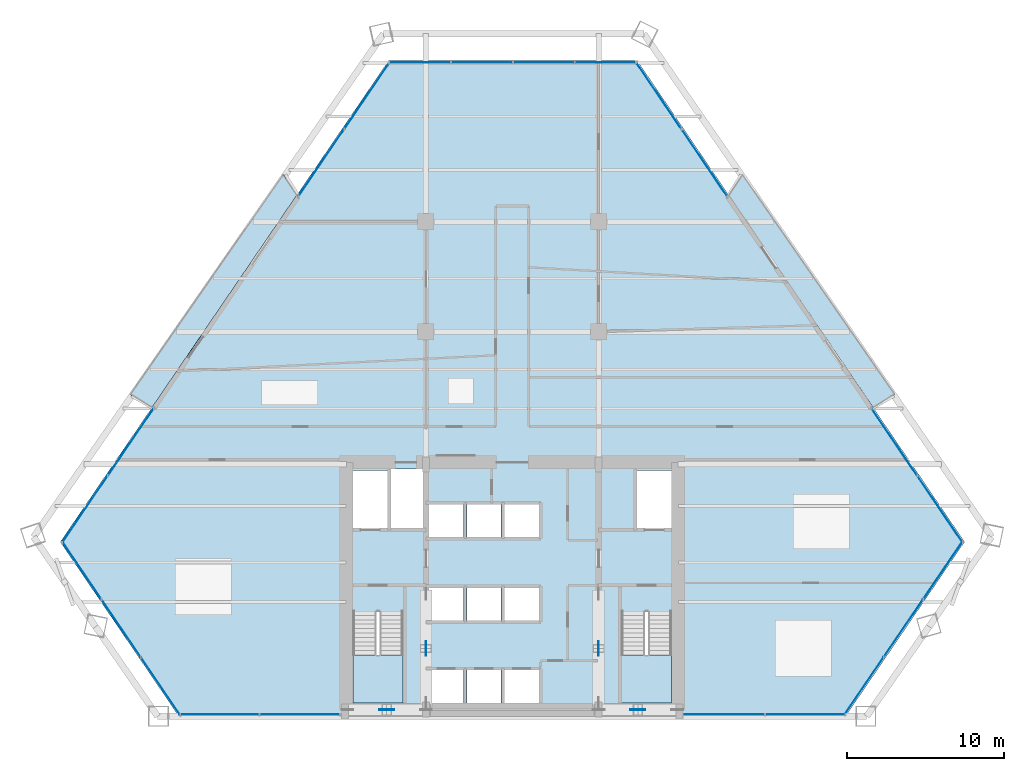
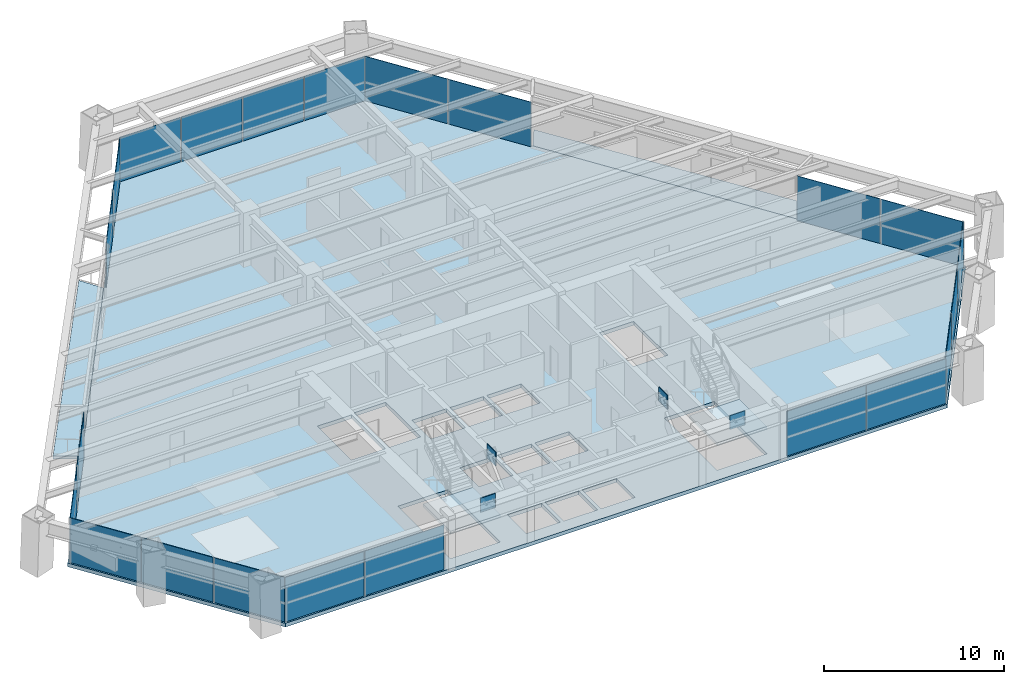
# One storey, part 9 of 14: 26 plates, 5 slabs, 11 elements without a shape of their own.
"""IFC4 building model written with IfcOpenShell, lengths in metres."""

from ifc_helpers import new_model, si_unit, direction, frame, origin, origin_2d, place, context, subcontext, project, spatial, polyline, rectangle, outline, extrude, source, transform, mapped, material, layer, layer_set, type_object, element, aggregate, save


model = new_model("IFC4")

# Units and contexts
model_context = context("Model", 3, precision=1e-05, world=origin(), true_north=direction((0.0, 1.0)))
body_context = subcontext(model_context, "Body", "Model", "MODEL_VIEW")
ifc_project = project(units=[si_unit("LENGTHUNIT", "METRE"), si_unit("AREAUNIT", "SQUARE_METRE"), si_unit("VOLUMEUNIT", "CUBIC_METRE"), si_unit("PLANEANGLEUNIT", "RADIAN"), si_unit("MASSUNIT", "GRAM", prefix="KILO")], contexts=[model_context])

# Site, building, storey
site_placement = place(None, origin())
site = spatial("IfcSite", under=ifc_project, at=site_placement, CompositionType="ELEMENT")
building_placement = place(site_placement, origin())
building = spatial("IfcBuilding", under=site, at=building_placement, Name="Varnakhor Terracotta Tower", CompositionType="ELEMENT")
storey_placement = place(building_placement, frame((0.0, 0.0, 31.199951171875)))
storey = spatial("IfcBuildingStorey", under=building, at=storey_placement, Name="L06", CompositionType="ELEMENT", Elevation=31.199951171875)

# Stair, slab
ifc_material_1 = material(Name="Concrete C40/50", Category="concrete")
stair_type = type_object("IfcStairType", Name="STR-CORE-OFFICE-1500", PredefinedType="HALF_TURN_STAIR", material=ifc_material_1)
stair_1_placement = place(storey_placement, origin())
stair_1 = element("IfcStair", 1, at=stair_1_placement, inside=storey, type_object=stair_type, Name="L06 Core Exit Stair ST-1", PredefinedType="HALF_TURN_STAIR")
ifc_layer_1 = layer(ifc_material_1, 0.179931640625, Name="Concrete C40/50")
ifc_layer_set_1 = layer_set([ifc_layer_1], Name="Concrete C40/50")
slab_type_1 = type_object("IfcSlabType", Name="SLB-LANDING-180", PredefinedType="LANDING", material=ifc_layer_set_1)
slab_1_placement = place(storey_placement, frame((0.0, 0.0, 1.650146484375)))
slab_1 = element("IfcSlab", 2, at=slab_1_placement, type_object=slab_type_1, Name="ST-1 landing 1", PredefinedType="LANDING", context=body_context, shape_type="SweptSolid", body=[
    extrude(outline(polyline([(-10.14990234375, 3.909912109375), (-10.14990234375, 0.85009765625), (-6.949951171875, 0.85009765625), (-6.949951171875, 3.909912109375), (-10.14990234375, 3.909912109375)])), origin(), (0.0, 0.0, 1.0), 0.199951171875),
])
aggregate(stair_1, [slab_1])

stair_2_placement = place(storey_placement, origin())
stair_2 = element("IfcStair", 3, at=stair_2_placement, inside=storey, type_object=stair_type, Name="L06 Core Exit Stair ST-2", PredefinedType="HALF_TURN_STAIR")
slab_2_placement = place(storey_placement, frame((0.0, 0.0, 1.650146484375)))
slab_2 = element("IfcSlab", 4, at=slab_2_placement, type_object=slab_type_1, Name="ST-2 landing 1", PredefinedType="LANDING", context=body_context, shape_type="SweptSolid", body=[
    extrude(outline(polyline([(6.949951171875, 3.909912109375), (6.949951171875, 0.85009765625), (10.14990234375, 0.85009765625), (10.14990234375, 3.909912109375), (6.949951171875, 3.909912109375)])), origin(), (0.0, 0.0, 1.0), 0.199951171875),
])
aggregate(stair_2, [slab_2])

# Slabs
ifc_layer_2 = layer(ifc_material_1, 0.195068359375, Name="Concrete C40/50")
ifc_layer_set_2 = layer_set([ifc_layer_2], Name="Concrete C40/50")
slab_type_2 = type_object("IfcSlabType", Name="SLB-LOGGIA-EXT-195", PredefinedType="FLOOR", material=ifc_layer_set_2)
slab_3_placement = place(storey_placement, frame((0.0, 0.0, -0.195068359375)))
element("IfcSlab", 5, at=slab_3_placement, inside=storey, type_object=slab_type_2, Name="L06 E Recessed Outdoor Loggia Slab", PredefinedType="FLOOR", context=body_context, shape_type="SweptSolid", body=[
    extrude(outline(polyline([(14.6328125, 34.51611328125), (24.3583984375, 20.488037109375), (22.969970703125, 19.695068359375), (19.08447265625, 25.40869140625), (13.800048828125, 33.179931640625), (14.6328125, 34.51611328125)])), origin(), (0.0, 0.0, 1.0), 0.195068359375),
])
slab_4_placement = place(storey_placement, frame((0.0, 0.0, -0.195068359375)))
element("IfcSlab", 6, at=slab_4_placement, inside=storey, type_object=slab_type_2, Name="L06 W Recessed Outdoor Loggia Slab", PredefinedType="FLOOR", context=body_context, shape_type="SweptSolid", body=[
    extrude(outline(polyline([(-24.3212890625, 20.48291015625), (-14.5654296875, 34.513916015625), (-13.732666015625, 33.177978515625), (-22.9326171875, 19.690185546875), (-24.3212890625, 20.48291015625)])), origin(), (0.0, 0.0, 1.0), 0.195068359375),
])
ifc_layer_3 = layer(ifc_material_1, 0.25, Name="Concrete C40/50")
ifc_layer_set_3 = layer_set([ifc_layer_3], Name="Concrete C40/50")
slab_type_3 = type_object("IfcSlabType", Name="SLB-OFF-250", PredefinedType="FLOOR", material=ifc_layer_set_3)
slab_5_placement = place(storey_placement, frame((0.0, 0.0, -0.25)))
element("IfcSlab", 7, at=slab_5_placement, inside=storey, type_object=slab_type_3, Name="L06 Structural Floor Slab", PredefinedType="FLOOR", context=body_context, shape_type="SweptSolid", body=[
    extrude(outline(polyline([(-28.787109375, 11.10693359375), (-7.8779296875, 41.760986328125), (7.964599609375, 41.760986328125), (28.805419921875, 11.11376953125), (21.224853515625, 0.0), (-21.234130859375, 0.0), (-28.787109375, 11.10693359375)]), holes=[polyline([(-3.10009765625, 0.85009765625), (-3.10009765625, 2.949951171875), (-5.300048828125, 2.949951171875), (-5.300048828125, 0.85009765625), (-3.10009765625, 0.85009765625)]), polyline([(-2.8798828125, 0.85009765625), (-0.719970703125, 0.85009765625), (-0.719970703125, 2.949951171875), (-2.8798828125, 2.949951171875), (-2.8798828125, 0.85009765625)]), polyline([(-10.14990234375, 0.85009765625), (-6.949951171875, 0.85009765625), (-6.949951171875, 6.695068359375), (-10.14990234375, 6.695068359375), (-10.14990234375, 0.85009765625)]), polyline([(-5.300048828125, 6.10009765625), (-3.10009765625, 6.10009765625), (-3.10009765625, 8.199951171875), (-5.300048828125, 8.199951171875), (-5.300048828125, 6.10009765625)]), polyline([(-5.300048828125, 11.419921875), (-3.10009765625, 11.419921875), (-3.10009765625, 13.52001953125), (-5.300048828125, 13.52001953125), (-5.300048828125, 11.419921875)]), polyline([(-10.14990234375, 11.8798828125), (-7.949951171875, 11.8798828125), (-7.949951171875, 15.64990234375), (-10.14990234375, 15.64990234375), (-10.14990234375, 11.8798828125)]), polyline([(-7.72998046875, 11.8798828125), (-5.699951171875, 11.8798828125), (-5.699951171875, 15.75), (-7.72998046875, 15.75), (-7.72998046875, 11.8798828125)]), polyline([(1.699951171875, 0.85009765625), (1.699951171875, 2.949951171875), (-0.5, 2.949951171875), (-0.5, 0.85009765625), (1.699951171875, 0.85009765625)]), polyline([(6.949951171875, 0.85009765625), (10.14990234375, 0.85009765625), (10.14990234375, 6.695068359375), (6.949951171875, 6.695068359375), (6.949951171875, 0.85009765625)]), polyline([(-2.8798828125, 6.10009765625), (-0.719970703125, 6.10009765625), (-0.719970703125, 8.199951171875), (-2.8798828125, 8.199951171875), (-2.8798828125, 6.10009765625)]), polyline([(-0.5, 6.10009765625), (1.699951171875, 6.10009765625), (1.699951171875, 8.199951171875), (-0.5, 8.199951171875), (-0.5, 6.10009765625)]), polyline([(-2.8798828125, 11.419921875), (-0.719970703125, 11.419921875), (-0.719970703125, 13.52001953125), (-2.8798828125, 13.52001953125), (-2.8798828125, 11.419921875)]), polyline([(-0.5, 11.419921875), (1.699951171875, 11.419921875), (1.699951171875, 13.52001953125), (-0.5, 13.52001953125), (-0.5, 11.419921875)]), polyline([(7.949951171875, 11.8798828125), (10.14990234375, 11.8798828125), (10.14990234375, 15.64990234375), (7.949951171875, 15.64990234375), (7.949951171875, 11.8798828125)])]), origin(), (0.0, 0.0, 1.0), 0.25),
])

# Plates
ifc_material_2 = material(Name="Steel S460", Category="steel")
ifc_layer_4 = layer(ifc_material_2, 0.050048828125, Name="Steel S460")
ifc_layer_set_4 = layer_set([ifc_layer_4], Name="Steel S460")
plate_type_1 = type_object("IfcPlateType", Name="PLT-GUSSET-50", PredefinedType="USERDEFINED", material=ifc_layer_set_4)
shared_shape_1 = source(origin(), body_context, "Body", "SweptSolid", [
    extrude(rectangle(XDim=0.949951171875, YDim=0.044921875, at=origin_2d()), origin(), (0.0, 0.0, 1.0), 0.949951171875),
])
for number, where, z_axis, x_axis, name in (
    (8, (-8.0, 0.419921875, 2.8251953125), (0.0, 0.0, 1.0), (1.0, 0.0, 0.0), "L06 Core Brace Apex Gusset CSW"),
    (9, (8.0, 0.419921875, 2.8251953125), (0.0, 0.0, 1.0), (1.0, 0.0, 0.0), "L06 Core Brace Apex Gusset CSE"),
    (10, (-5.5, 4.324951171875, 2.8251953125), (0.0, 0.0, 1.0), (0.0, 1.0, 0.0), "L06 Core Brace Apex Gusset CWW"),
    (11, (5.5, 4.324951171875, 2.8251953125), (0.0, 0.0, 1.0), (0.0, 1.0, 0.0), "L06 Core Brace Apex Gusset CWE"),
):
    element("IfcPlate", number, at=place(storey_placement, frame(where, z_axis=z_axis, x_axis=x_axis)), inside=storey, type_object=plate_type_1, Name=name, ObjectType="GUSSET PLATE", PredefinedType="USERDEFINED", context=body_context, shape_type="MappedRepresentation", body=[
        mapped(shared_shape_1, transform((0.0, 0.0, 0.0), scale=1.0)),
    ])

# Curtain wall, plate
ifc_material_3 = material(Name="Anodised Aluminium Curtain Wall System", Category="aluminium")
curtain_wall_type = type_object("IfcCurtainWallType", Name="CW-SYS-LOW-OFFICE", PredefinedType="NOTDEFINED", material=ifc_material_3)
curtain_wall_1_placement = place(storey_placement, origin())
curtain_wall_1 = element("IfcCurtainWall", 12, at=curtain_wall_1_placement, inside=storey, type_object=curtain_wall_type, Name="L06 W Facet Curtain Wall 1", PredefinedType="NOTDEFINED")
ifc_material_4 = material(Name="Solar-Control Low-E Insulated Glass Panel", Category="glass")
ifc_layer_5 = layer(ifc_material_4, 0.0380859375, Name="Solar-Control Low-E Insulated Glass Panel")
ifc_layer_set_5 = layer_set([ifc_layer_5], Name="Solar-Control Low-E Insulated Glass Panel")
plate_type_2 = type_object("IfcPlateType", Name="CWP-02", PredefinedType="CURTAIN_PANEL", material=ifc_layer_set_5)
shared_shape_2 = source(origin(), body_context, "Body", "SweptSolid", [
    extrude(rectangle(XDim=5.125, YDim=0.035888671875, at=origin_2d()), origin(), (0.0, 0.0, 1.0), 3.030029296875),
])
plate_1_placement = place(storey_placement, frame((-27.216064453125, 13.197509765625, 0.0), z_axis=(0.0, 0.0, 1.0), x_axis=(0.563497212324, 0.826117964762, 0.0)))
plate_1 = element("IfcPlate", 13, at=plate_1_placement, type_object=plate_type_2, Name="L06 W Facet Curtain Wall 1 Glazed Panel 1", PredefinedType="CURTAIN_PANEL", context=body_context, shape_type="MappedRepresentation", body=[
    mapped(shared_shape_2, transform((0.0, 0.0, 0.0), scale=1.0)),
])

curtain_wall_2_placement = place(storey_placement, origin())
curtain_wall_2 = element("IfcCurtainWall", 14, at=curtain_wall_2_placement, inside=storey, type_object=curtain_wall_type, Name="L06 W Facet Curtain Wall 2", PredefinedType="NOTDEFINED")
plate_2_placement = place(storey_placement, frame((-9.2509765625, 39.535400390625, 0.0), z_axis=(0.0, 0.0, 1.0), x_axis=(0.563497212324, 0.826117964762, 0.0)))
plate_2 = element("IfcPlate", 15, at=plate_2_placement, type_object=plate_type_2, Name="L06 W Facet Curtain Wall 2 Glazed Panel 2", PredefinedType="CURTAIN_PANEL", context=body_context, shape_type="MappedRepresentation", body=[
    mapped(shared_shape_2, transform((0.0, 0.0, 0.0), scale=1.0)),
])

# Plate
shared_shape_3 = source(origin(), body_context, "Body", "SweptSolid", [
    extrude(rectangle(XDim=5.124755859375, YDim=0.035888671875, at=origin_2d()), origin(), (0.0, 0.0, 1.0), 3.030029296875),
])
plate_3_placement = place(storey_placement, frame((-24.3056640625, 17.46435546875, 0.0), z_axis=(0.0, 0.0, 1.0), x_axis=(0.563497212324, 0.826117964762, 0.0)))
plate_3 = element("IfcPlate", 16, at=plate_3_placement, type_object=plate_type_2, Name="L06 W Facet Curtain Wall 1 Glazed Panel 2", PredefinedType="CURTAIN_PANEL", context=body_context, shape_type="MappedRepresentation", body=[
    mapped(shared_shape_3, transform((0.0, 0.0, 0.0), scale=1.0)),
])

aggregate(curtain_wall_1, [plate_1, plate_3])

plate_4_placement = place(storey_placement, frame((-12.161376953125, 35.2685546875, 0.0), z_axis=(0.0, 0.0, 1.0), x_axis=(0.563497212324, 0.826117964762, 0.0)))
plate_4 = element("IfcPlate", 17, at=plate_4_placement, type_object=plate_type_2, Name="L06 W Facet Curtain Wall 2 Glazed Panel 1", PredefinedType="CURTAIN_PANEL", context=body_context, shape_type="MappedRepresentation", body=[
    mapped(shared_shape_3, transform((0.0, 0.0, 0.0), scale=1.0)),
])

aggregate(curtain_wall_2, [plate_4, plate_2])

# Curtain wall, plates
curtain_wall_3_placement = place(storey_placement, origin())
curtain_wall_3 = element("IfcCurtainWall", 18, at=curtain_wall_3_placement, inside=storey, type_object=curtain_wall_type, Name="L06 Facet Curtain Wall 2", PredefinedType="NOTDEFINED")
shared_shape_4 = source(origin(), body_context, "Body", "SweptSolid", [
    extrude(rectangle(XDim=3.905517578125, YDim=0.035888671875, at=origin_2d()), origin(), (0.0, 0.0, 1.0), 3.030029296875),
])
plate_5_placement = place(storey_placement, frame((-5.875244140625, 41.64111328125, 0.0), z_axis=(0.0, 0.0, 1.0), x_axis=(1.0, 0.0, 0.0)))
plate_5 = element("IfcPlate", 19, at=plate_5_placement, type_object=plate_type_2, Name="L06 Facet Curtain Wall 2 Glazed Panel 1", PredefinedType="CURTAIN_PANEL", context=body_context, shape_type="MappedRepresentation", body=[
    mapped(shared_shape_4, transform((0.0, 0.0, 0.0), scale=1.0)),
])
plate_6_placement = place(storey_placement, frame((-1.9296875, 41.64111328125, 0.0), z_axis=(0.0, 0.0, 1.0), x_axis=(1.0, 0.0, 0.0)))
plate_6 = element("IfcPlate", 20, at=plate_6_placement, type_object=plate_type_2, Name="L06 Facet Curtain Wall 2 Glazed Panel 2", PredefinedType="CURTAIN_PANEL", context=body_context, shape_type="MappedRepresentation", body=[
    mapped(shared_shape_4, transform((0.0, 0.0, 0.0), scale=1.0)),
])
plate_7_placement = place(storey_placement, frame((5.961669921875, 41.64111328125, 0.0), z_axis=(0.0, 0.0, 1.0), x_axis=(1.0, 0.0, 0.0)))
plate_7 = element("IfcPlate", 21, at=plate_7_placement, type_object=plate_type_2, Name="L06 Facet Curtain Wall 2 Glazed Panel 4", PredefinedType="CURTAIN_PANEL", context=body_context, shape_type="MappedRepresentation", body=[
    mapped(shared_shape_4, transform((0.0, 0.0, 0.0), scale=1.0)),
])
shared_shape_5 = source(origin(), body_context, "Body", "SweptSolid", [
    extrude(rectangle(XDim=3.90576171875, YDim=0.035888671875, at=origin_2d()), origin(), (0.0, 0.0, 1.0), 3.030029296875),
])
plate_8_placement = place(storey_placement, frame((2.01611328125, 41.64111328125, 0.0), z_axis=(0.0, 0.0, 1.0), x_axis=(1.0, 0.0, 0.0)))
plate_8 = element("IfcPlate", 22, at=plate_8_placement, type_object=plate_type_2, Name="L06 Facet Curtain Wall 2 Glazed Panel 3", PredefinedType="CURTAIN_PANEL", context=body_context, shape_type="MappedRepresentation", body=[
    mapped(shared_shape_5, transform((0.0, 0.0, 0.0), scale=1.0)),
])
aggregate(curtain_wall_3, [plate_5, plate_6, plate_8, plate_7])

curtain_wall_4_placement = place(storey_placement, origin())
curtain_wall_4 = element("IfcCurtainWall", 23, at=curtain_wall_4_placement, inside=storey, type_object=curtain_wall_type, Name="L06 E Facet Curtain Wall 1", PredefinedType="NOTDEFINED")
shared_shape_6 = source(origin(), body_context, "Body", "SweptSolid", [
    extrude(rectangle(XDim=5.11865234375, YDim=0.035888671875, at=origin_2d()), origin(), (0.0, 0.0, 1.0), 3.030029296875),
])
plate_9_placement = place(storey_placement, frame((9.33251953125, 39.535888671875, 0.0), z_axis=(0.0, 0.0, 1.0), x_axis=(0.562328752854, -0.826913764376, 0.0)))
plate_9 = element("IfcPlate", 24, at=plate_9_placement, type_object=plate_type_2, Name="L06 E Facet Curtain Wall 1 Glazed Panel 1", PredefinedType="CURTAIN_PANEL", context=body_context, shape_type="MappedRepresentation", body=[
    mapped(shared_shape_6, transform((0.0, 0.0, 0.0), scale=1.0)),
])
plate_10_placement = place(storey_placement, frame((12.2333984375, 35.27001953125, 0.0), z_axis=(0.0, 0.0, 1.0), x_axis=(0.562328752854, -0.826913764376, 0.0)))
plate_10 = element("IfcPlate", 25, at=plate_10_placement, type_object=plate_type_2, Name="L06 E Facet Curtain Wall 1 Glazed Panel 2", PredefinedType="CURTAIN_PANEL", context=body_context, shape_type="MappedRepresentation", body=[
    mapped(shared_shape_6, transform((0.0, 0.0, 0.0), scale=1.0)),
])
aggregate(curtain_wall_4, [plate_9, plate_10])

curtain_wall_5_placement = place(storey_placement, origin())
curtain_wall_5 = element("IfcCurtainWall", 26, at=curtain_wall_5_placement, inside=storey, type_object=curtain_wall_type, Name="L06 E Facet Curtain Wall 2", PredefinedType="NOTDEFINED")
plate_11_placement = place(storey_placement, frame((24.338134765625, 17.469970703125, 0.0), z_axis=(0.0, 0.0, 1.0), x_axis=(0.562328752854, -0.826913764376, 0.0)))
plate_11 = element("IfcPlate", 27, at=plate_11_placement, type_object=plate_type_2, Name="L06 E Facet Curtain Wall 2 Glazed Panel 1", PredefinedType="CURTAIN_PANEL", context=body_context, shape_type="MappedRepresentation", body=[
    mapped(shared_shape_6, transform((0.0, 0.0, 0.0), scale=1.0)),
])
plate_12_placement = place(storey_placement, frame((27.239013671875, 13.2041015625, 0.0), z_axis=(0.0, 0.0, 1.0), x_axis=(0.562328752854, -0.826913764376, 0.0)))
plate_12 = element("IfcPlate", 28, at=plate_12_placement, type_object=plate_type_2, Name="L06 E Facet Curtain Wall 2 Glazed Panel 2", PredefinedType="CURTAIN_PANEL", context=body_context, shape_type="MappedRepresentation", body=[
    mapped(shared_shape_6, transform((0.0, 0.0, 0.0), scale=1.0)),
])
aggregate(curtain_wall_5, [plate_11, plate_12])

curtain_wall_6_placement = place(storey_placement, origin())
curtain_wall_6 = element("IfcCurtainWall", 29, at=curtain_wall_6_placement, inside=storey, type_object=curtain_wall_type, Name="L06 Facet Curtain Wall 4", PredefinedType="NOTDEFINED")
shared_shape_7 = source(origin(), body_context, "Body", "SweptSolid", [
    extrude(rectangle(XDim=4.42431640625, YDim=0.035888671875, at=origin_2d()), origin(), (0.0, 0.0, 1.0), 3.030029296875),
])
plate_13_placement = place(storey_placement, frame((27.431640625, 9.3125, 0.0), z_axis=(0.0, 0.0, 1.0), x_axis=(-0.56348279376, -0.826127799518, 0.0)))
plate_13 = element("IfcPlate", 30, at=plate_13_placement, type_object=plate_type_2, Name="L06 Facet Curtain Wall 4 Glazed Panel 1", PredefinedType="CURTAIN_PANEL", context=body_context, shape_type="MappedRepresentation", body=[
    mapped(shared_shape_7, transform((0.0, 0.0, 0.0), scale=1.0)),
])
plate_14_placement = place(storey_placement, frame((24.916015625, 5.62451171875, 0.0), z_axis=(0.0, 0.0, 1.0), x_axis=(-0.56348279376, -0.826127799518, 0.0)))
plate_14 = element("IfcPlate", 31, at=plate_14_placement, type_object=plate_type_2, Name="L06 Facet Curtain Wall 4 Glazed Panel 2", PredefinedType="CURTAIN_PANEL", context=body_context, shape_type="MappedRepresentation", body=[
    mapped(shared_shape_7, transform((0.0, 0.0, 0.0), scale=1.0)),
])
plate_15_placement = place(storey_placement, frame((22.400390625, 1.9365234375, 0.0), z_axis=(0.0, 0.0, 1.0), x_axis=(-0.56348279376, -0.826127799518, 0.0)))
plate_15 = element("IfcPlate", 32, at=plate_15_placement, type_object=plate_type_2, Name="L06 Facet Curtain Wall 4 Glazed Panel 3", PredefinedType="CURTAIN_PANEL", context=body_context, shape_type="MappedRepresentation", body=[
    mapped(shared_shape_7, transform((0.0, 0.0, 0.0), scale=1.0)),
])
aggregate(curtain_wall_6, [plate_13, plate_14, plate_15])

curtain_wall_7_placement = place(storey_placement, origin())
curtain_wall_7 = element("IfcCurtainWall", 33, at=curtain_wall_7_placement, inside=storey, type_object=curtain_wall_type, Name="L06 South Wing Curtain Wall SSE", PredefinedType="NOTDEFINED")
shared_shape_8 = source(origin(), body_context, "Body", "SweptSolid", [
    extrude(rectangle(XDim=5.08251953125, YDim=0.035888671875, at=origin_2d()), origin(), (0.0, 0.0, 1.0), 3.030029296875),
])
plate_16_placement = place(storey_placement, frame((18.653564453125, 0.1201171875, 0.0), z_axis=(0.0, 0.0, 1.0), x_axis=(-1.0, 0.0, 0.0)))
plate_16 = element("IfcPlate", 34, at=plate_16_placement, type_object=plate_type_2, Name="L06 South Wing Curtain Wall SSE Glazed Panel 1", PredefinedType="CURTAIN_PANEL", context=body_context, shape_type="MappedRepresentation", body=[
    mapped(shared_shape_8, transform((0.0, 0.0, 0.0), scale=1.0)),
])
plate_17_placement = place(storey_placement, frame((13.53125, 0.1201171875, 0.0), z_axis=(0.0, 0.0, 1.0), x_axis=(-1.0, 0.0, 0.0)))
plate_17 = element("IfcPlate", 35, at=plate_17_placement, type_object=plate_type_2, Name="L06 South Wing Curtain Wall SSE Glazed Panel 2", PredefinedType="CURTAIN_PANEL", context=body_context, shape_type="MappedRepresentation", body=[
    mapped(shared_shape_8, transform((0.0, 0.0, 0.0), scale=1.0)),
])
aggregate(curtain_wall_7, [plate_16, plate_17])

curtain_wall_8_placement = place(storey_placement, origin())
curtain_wall_8 = element("IfcCurtainWall", 36, at=curtain_wall_8_placement, inside=storey, type_object=curtain_wall_type, Name="L06 South Wing Curtain Wall SSW", PredefinedType="NOTDEFINED")
shared_shape_9 = source(origin(), body_context, "Body", "SweptSolid", [
    extrude(rectangle(XDim=5.0869140625, YDim=0.035888671875, at=origin_2d()), origin(), (0.0, 0.0, 1.0), 3.030029296875),
])
plate_18_placement = place(storey_placement, frame((-13.533447265625, 0.1201171875, 0.0), z_axis=(0.0, 0.0, 1.0), x_axis=(-1.0, 0.0, 0.0)))
plate_18 = element("IfcPlate", 37, at=plate_18_placement, type_object=plate_type_2, Name="L06 South Wing Curtain Wall SSW Glazed Panel 1", PredefinedType="CURTAIN_PANEL", context=body_context, shape_type="MappedRepresentation", body=[
    mapped(shared_shape_9, transform((0.0, 0.0, 0.0), scale=1.0)),
])
shared_shape_10 = source(origin(), body_context, "Body", "SweptSolid", [
    extrude(rectangle(XDim=5.087158203125, YDim=0.035888671875, at=origin_2d()), origin(), (0.0, 0.0, 1.0), 3.030029296875),
])
plate_19_placement = place(storey_placement, frame((-18.66064453125, 0.1201171875, 0.0), z_axis=(0.0, 0.0, 1.0), x_axis=(-1.0, 0.0, 0.0)))
plate_19 = element("IfcPlate", 38, at=plate_19_placement, type_object=plate_type_2, Name="L06 South Wing Curtain Wall SSW Glazed Panel 2", PredefinedType="CURTAIN_PANEL", context=body_context, shape_type="MappedRepresentation", body=[
    mapped(shared_shape_10, transform((0.0, 0.0, 0.0), scale=1.0)),
])
aggregate(curtain_wall_8, [plate_18, plate_19])

curtain_wall_9_placement = place(storey_placement, origin())
curtain_wall_9 = element("IfcCurtainWall", 39, at=curtain_wall_9_placement, inside=storey, type_object=curtain_wall_type, Name="L06 Facet Curtain Wall 6", PredefinedType="NOTDEFINED")
shared_shape_11 = source(origin(), body_context, "Body", "SweptSolid", [
    extrude(rectangle(XDim=4.417236328125, YDim=0.035888671875, at=origin_2d()), origin(), (0.0, 0.0, 1.0), 3.030029296875),
])
plate_20_placement = place(storey_placement, frame((-22.40478515625, 1.935302734375, 0.0), z_axis=(0.0, 0.0, 1.0), x_axis=(-0.562328752854, 0.826913764376, 0.0)))
plate_20 = element("IfcPlate", 40, at=plate_20_placement, type_object=plate_type_2, Name="L06 Facet Curtain Wall 6 Glazed Panel 1", PredefinedType="CURTAIN_PANEL", context=body_context, shape_type="MappedRepresentation", body=[
    mapped(shared_shape_11, transform((0.0, 0.0, 0.0), scale=1.0)),
])
plate_21_placement = place(storey_placement, frame((-24.911376953125, 5.62109375, 0.0), z_axis=(0.0, 0.0, 1.0), x_axis=(-0.562328752854, 0.826913764376, 0.0)))
plate_21 = element("IfcPlate", 41, at=plate_21_placement, type_object=plate_type_2, Name="L06 Facet Curtain Wall 6 Glazed Panel 2", PredefinedType="CURTAIN_PANEL", context=body_context, shape_type="MappedRepresentation", body=[
    mapped(shared_shape_11, transform((0.0, 0.0, 0.0), scale=1.0)),
])
plate_22_placement = place(storey_placement, frame((-27.41796875, 9.306884765625, 0.0), z_axis=(0.0, 0.0, 1.0), x_axis=(-0.562328752854, 0.826913764376, 0.0)))
plate_22 = element("IfcPlate", 42, at=plate_22_placement, type_object=plate_type_2, Name="L06 Facet Curtain Wall 6 Glazed Panel 3", PredefinedType="CURTAIN_PANEL", context=body_context, shape_type="MappedRepresentation", body=[
    mapped(shared_shape_11, transform((0.0, 0.0, 0.0), scale=1.0)),
])
aggregate(curtain_wall_9, [plate_20, plate_21, plate_22])

save(model, "model.ifc")
